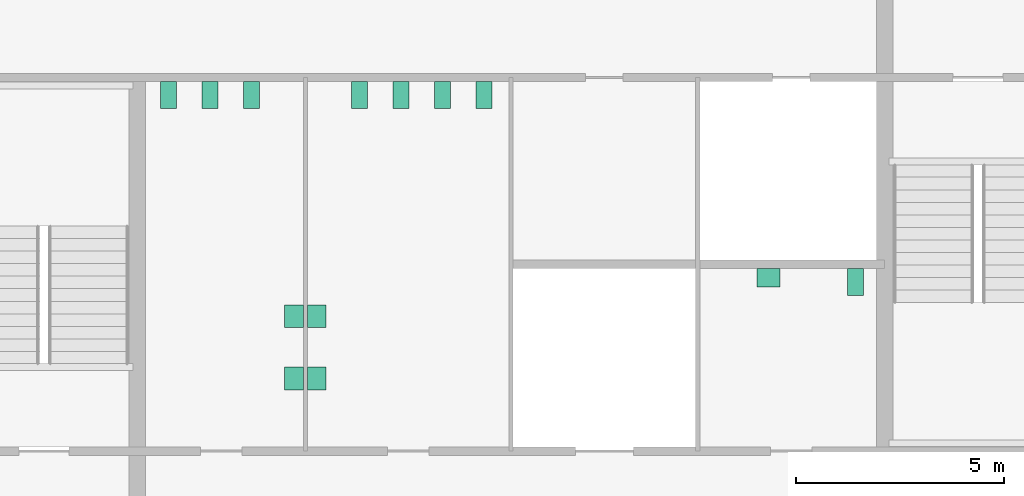
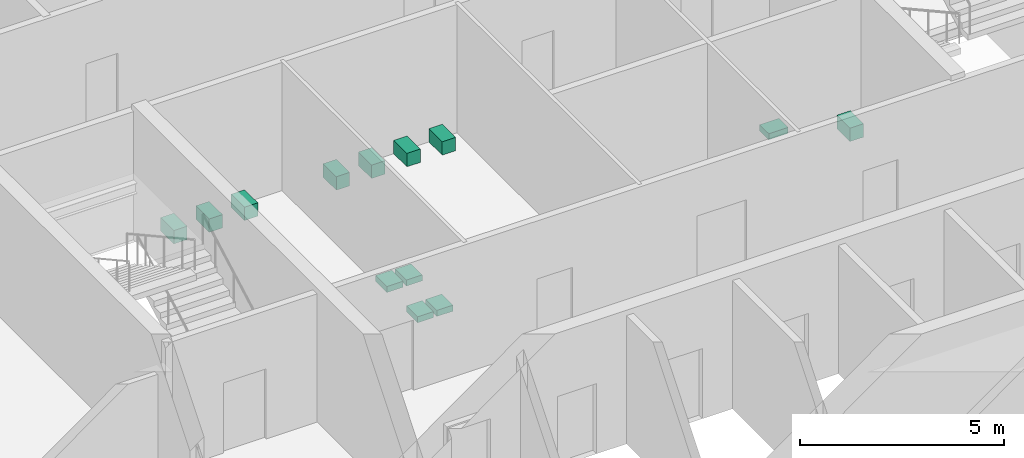
# One storey, part 13 of 13: 13 sanitary terminals.
"""IFC4 building model written with IfcOpenShell, lengths in metres."""

from ifc_helpers import new_model, si_unit, direction, frame, origin, origin_2d, place, context, subcontext, project, spatial, rectangle, extrude, material, type_object, element, save


model = new_model("IFC4")

# Units and contexts
model_context = context("Model", 3, precision=1e-05, world=origin(), true_north=direction((0.0, 1.0)))
body_context = subcontext(model_context, "Body", "Model", "MODEL_VIEW")
ifc_project = project(units=[si_unit("LENGTHUNIT", "METRE"), si_unit("AREAUNIT", "SQUARE_METRE"), si_unit("VOLUMEUNIT", "CUBIC_METRE"), si_unit("PLANEANGLEUNIT", "RADIAN"), si_unit("MASSUNIT", "GRAM", prefix="KILO")], contexts=[model_context])

# Site, building, storey
site_placement = place(None, origin())
site = spatial("IfcSite", under=ifc_project, at=site_placement, CompositionType="ELEMENT")
building_placement = place(site_placement, origin())
building = spatial("IfcBuilding", under=site, at=building_placement, Name="Corais Broadcast Tower", CompositionType="ELEMENT")
storey_placement = place(building_placement, frame((0.0, 0.0, 302.60009765625)))
storey = spatial("IfcBuildingStorey", under=building, at=storey_placement, Name="L71", CompositionType="ELEMENT", Elevation=302.60009765625)

# Sanitary terminals
ifc_material_1 = material(Name="Vitreous china", Category="ceramic")
sanitary_terminal_type_1 = type_object("IfcSanitaryTerminalType", Name="WC pan 380x650", PredefinedType="TOILETPAN", material=ifc_material_1)
for number, where, z_axis, x_axis, name in (
    (1, (18.75, 31.074951171875, 0.0), (0.0, 0.0, 1.0), (1.0, 0.0, 0.0), "SW1 WC pan, male toilets L71"),
    (2, (19.75, 31.074951171875, 0.0), (0.0, 0.0, 1.0), (1.0, 0.0, 0.0), "SW1 WC pan, male toilets L71"),
    (3, (20.75, 31.074951171875, 0.0), (0.0, 0.0, 1.0), (1.0, 0.0, 0.0), "SW1 WC pan, male toilets L71"),
    (4, (23.35009765625, 31.074951171875, 0.0), (0.0, 0.0, 1.0), (1.0, 0.0, 0.0), "SW1 WC pan, female toilets L71"),
    (5, (24.35009765625, 31.074951171875, 0.0), (0.0, 0.0, 1.0), (1.0, 0.0, 0.0), "SW1 WC pan, female toilets L71"),
    (6, (25.35009765625, 31.074951171875, 0.0), (0.0, 0.0, 1.0), (1.0, 0.0, 0.0), "SW1 WC pan, female toilets L71"),
    (7, (26.35009765625, 31.074951171875, 0.0), (0.0, 0.0, 1.0), (1.0, 0.0, 0.0), "SW1 WC pan, female toilets L71"),
    (8, (35.300048828125, 26.574951171875, 0.0), (0.0, 0.0, 1.0), (1.0, 0.0, 0.0), "SW1 WC pan, accessible WC L71"),
):
    element("IfcSanitaryTerminal", number, at=place(storey_placement, frame(where, z_axis=z_axis, x_axis=x_axis)), inside=storey, type_object=sanitary_terminal_type_1, Name=name, PredefinedType="TOILETPAN", context=body_context, shape_type="SweptSolid", body=[
        extrude(rectangle(XDim=0.3798828125, YDim=0.64990234375, at=origin_2d()), origin(), (0.0, 0.0, 1.0), 0.39990234375),
    ])
ifc_material_2 = material(Name="Vitreous china", Category="ceramic")
sanitary_terminal_type_2 = type_object("IfcSanitaryTerminalType", Name="Wash basin 550x450", PredefinedType="WASHHANDBASIN", material=ifc_material_2)
for number, where, z_axis, x_axis, name in (
    (9, (21.77490234375, 24.25, 0.69970703125), (0.0, 0.0, 1.0), (1.0, 0.0, 0.0), "WB1 wash basin, male toilets L71"),
    (10, (21.77490234375, 25.75, 0.69970703125), (0.0, 0.0, 1.0), (1.0, 0.0, 0.0), "WB1 wash basin, male toilets L71"),
    (11, (22.324951171875, 24.25, 0.69970703125), (0.0, 0.0, 1.0), (1.0, 0.0, 0.0), "WB1 wash basin, female toilets L71"),
    (12, (22.324951171875, 25.75, 0.69970703125), (0.0, 0.0, 1.0), (1.0, 0.0, 0.0), "WB1 wash basin, female toilets L71"),
):
    element("IfcSanitaryTerminal", number, at=place(storey_placement, frame(where, z_axis=z_axis, x_axis=x_axis)), inside=storey, type_object=sanitary_terminal_type_2, Name=name, PredefinedType="WASHHANDBASIN", context=body_context, shape_type="SweptSolid", body=[
        extrude(rectangle(XDim=0.449951171875, YDim=0.550048828125, at=origin_2d()), origin(), (0.0, 0.0, 1.0), 0.179931640625),
    ])
sanitary_terminal_placement = place(storey_placement, frame((33.199951171875, 26.675048828125, 0.69970703125), z_axis=(0.0, 0.0, 1.0), x_axis=(1.0, 0.0, 0.0)))
element("IfcSanitaryTerminal", 13, at=sanitary_terminal_placement, inside=storey, type_object=sanitary_terminal_type_2, Name="WB1 wash basin, accessible WC L71", PredefinedType="WASHHANDBASIN", context=body_context, shape_type="SweptSolid", body=[
    extrude(rectangle(XDim=0.550048828125, YDim=0.449951171875, at=origin_2d()), origin(), (0.0, 0.0, 1.0), 0.179931640625),
])

save(model, "model.ifc")
